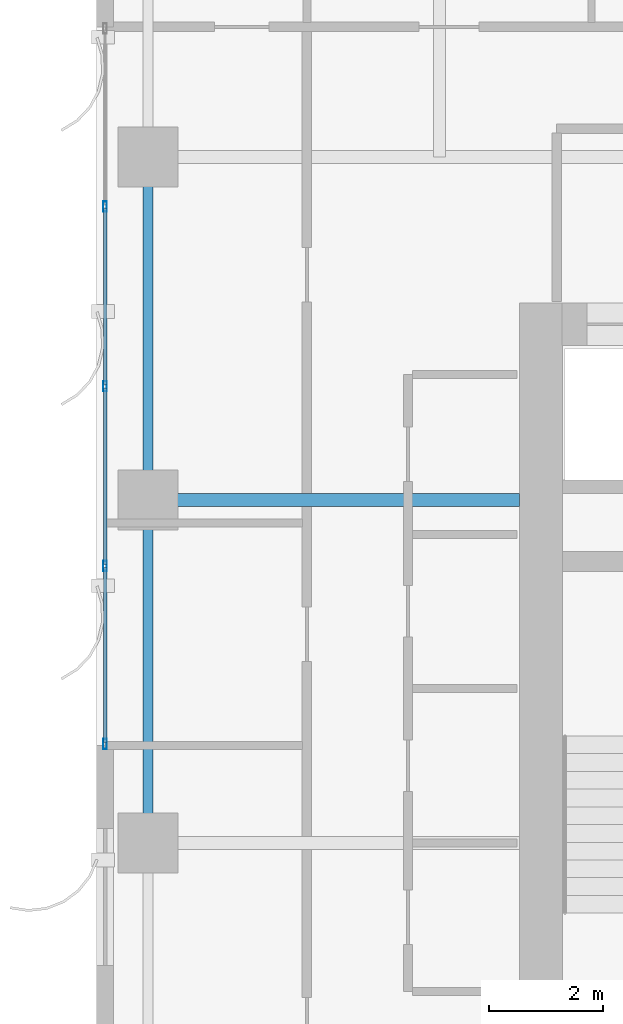
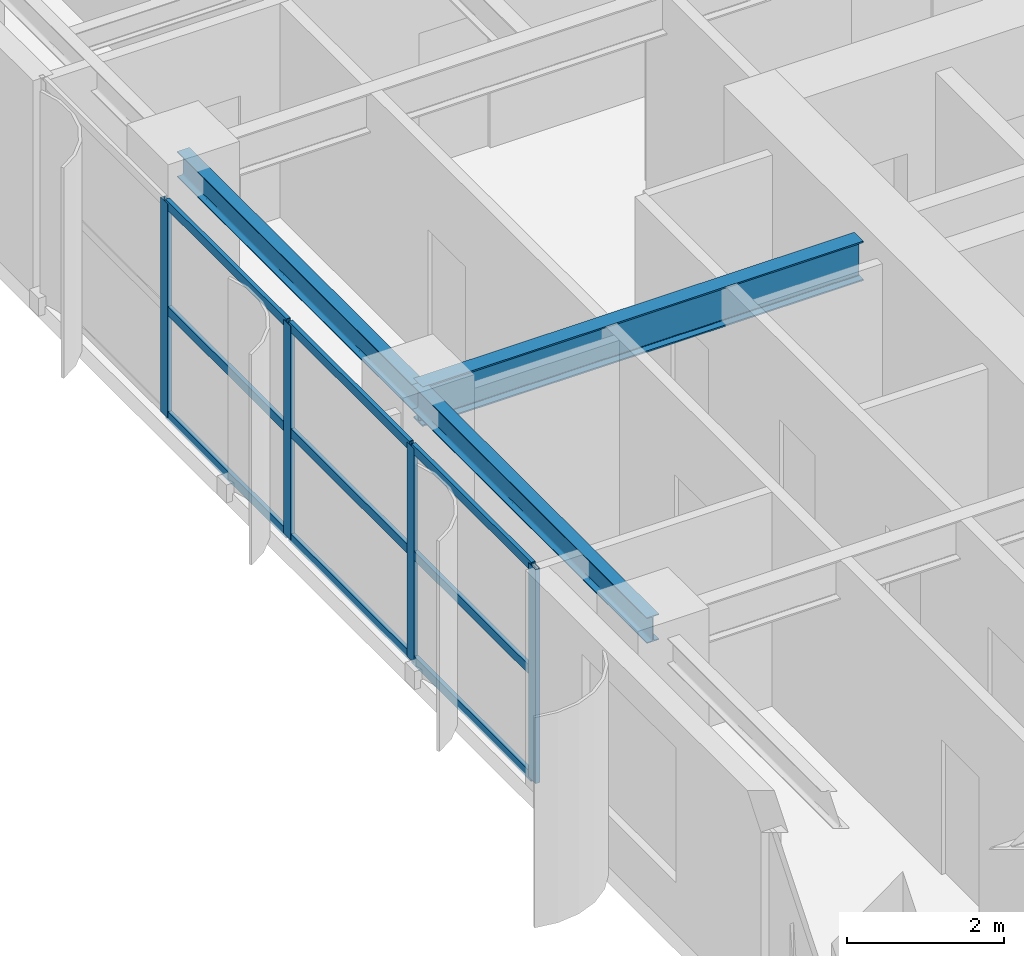
# One storey, part 7 of 27: 13 members, 3 beams, 1 element without a shape of its own.
"""IFC4 building model written with IfcOpenShell, lengths in metres."""

from ifc_helpers import new_model, si_unit, direction, frame, origin, origin_2d, place, context, subcontext, project, spatial, hollow_rectangle, i_section, extrude, source, transform, mapped, material, layer, layer_set, material_profile, profile_set, type_object, element, aggregate, save


model = new_model("IFC4")

# Units and contexts
model_context = context("Model", 3, precision=1e-05, world=origin(), true_north=direction((0.0, 1.0)))
body_context = subcontext(model_context, "Body", "Model", "MODEL_VIEW")
ifc_project = project(units=[si_unit("LENGTHUNIT", "METRE"), si_unit("AREAUNIT", "SQUARE_METRE"), si_unit("VOLUMEUNIT", "CUBIC_METRE"), si_unit("PLANEANGLEUNIT", "RADIAN"), si_unit("MASSUNIT", "GRAM", prefix="KILO")], contexts=[model_context])

# Site, building, storey
site_placement = place(None, origin())
site = spatial("IfcSite", under=ifc_project, at=site_placement, CompositionType="ELEMENT")
building_placement = place(site_placement, origin())
building = spatial("IfcBuilding", under=site, at=building_placement, Name="Khoralis Quay Care Tower", CompositionType="ELEMENT")
storey_placement = place(building_placement, frame((0.0, 0.0, 105.300048828125)))
storey = spatial("IfcBuildingStorey", under=building, at=storey_placement, Name="L27", CompositionType="ELEMENT", Elevation=105.300048828125)

# Beams
ifc_material_1 = material(Name="Steel S355", Category="steel")
ifc_material_profile_1 = material_profile(ifc_material_1, i_section(OverallWidth=0.179931640625, OverallDepth=0.39990234375, WebThickness=0.008544921875, FlangeThickness=0.013427734375, FilletRadius=0.02099609375, at=origin_2d()), Name="Steel S355")
ifc_profile_set_1 = profile_set([ifc_material_profile_1], Name="Steel S355")
beam_type_1 = type_object("IfcBeamType", Name="BM-IPE400", PredefinedType="SPANDREL", material=ifc_profile_set_1)
shared_shape_1 = source(origin(), body_context, "Body", "SweptSolid", [
    extrude(i_section(OverallWidth=0.179931640625, OverallDepth=0.39990234375, WebThickness=0.008544921875, FlangeThickness=0.013427734375, FilletRadius=0.02099609375, at=origin_2d()), origin(), (0.0, 0.0, 1.0), 6.0),
])
for number, where, z_axis, x_axis, name in (
    (1, (0.89990234375, 18.0, 3.139892578125), (0.0, 1.0, 0.0), (-1.0, 0.0, 0.0), "BM-TSP-L27-13"),
    (2, (0.89990234375, 24.0, 3.139892578125), (0.0, 1.0, 0.0), (-1.0, 0.0, 0.0), "BM-TSP-L27-14"),
):
    element("IfcBeam", number, at=place(storey_placement, frame(where, z_axis=z_axis, x_axis=x_axis)), inside=storey, type_object=beam_type_1, Name=name, PredefinedType="SPANDREL", context=body_context, shape_type="MappedRepresentation", body=[
        mapped(shared_shape_1, transform((0.0, 0.0, 0.0), scale=1.0)),
    ])
ifc_material_profile_2 = material_profile(ifc_material_1, i_section(OverallWidth=0.22998046875, OverallDepth=0.616943359375, WebThickness=0.01318359375, FlangeThickness=0.022216796875, FilletRadius=0.01806640625, at=origin_2d()), Name="Steel S355")
ifc_profile_set_2 = profile_set([ifc_material_profile_2], Name="Steel S355")
beam_type_2 = type_object("IfcBeamType", Name="BM-W610X140", PredefinedType="BEAM", material=ifc_profile_set_2)
shared_shape_2 = source(origin(), body_context, "Body", "SweptSolid", [
    extrude(i_section(OverallWidth=0.22998046875, OverallDepth=0.616943359375, WebThickness=0.01318359375, FlangeThickness=0.022216796875, FilletRadius=0.01806640625, at=origin_2d()), origin(), (0.0, 0.0, 1.0), 6.502197265625),
])
beam_placement = place(storey_placement, frame((0.89990234375, 24.0, 3.031494140625), z_axis=(1.0, 0.0, 0.0), x_axis=(0.0, 1.0, 0.0)))
element("IfcBeam", 3, at=beam_placement, inside=storey, type_object=beam_type_2, Name="BM-TGXW-L27-240", PredefinedType="BEAM", context=body_context, shape_type="MappedRepresentation", body=[
    mapped(shared_shape_2, transform((0.0, 0.0, 0.0), scale=1.0)),
])

# Curtain wall, members
ifc_material_2 = material(Name="Pale anodised aluminium", Category="aluminium")
ifc_layer = layer(ifc_material_2, 0.169921875)
ifc_layer_set = layer_set([ifc_layer], Name="Pale anodised aluminium")
curtain_wall_type = type_object("IfcCurtainWallType", Name="CW-SYS-Z2", PredefinedType="NOTDEFINED", material=ifc_layer_set)
curtain_wall_placement = place(storey_placement, origin())
curtain_wall = element("IfcCurtainWall", 4, at=curtain_wall_placement, inside=storey, type_object=curtain_wall_type, Name="L27 Unitised Curtain Wall CW-L27-P1-E15", PredefinedType="NOTDEFINED")
ifc_material_profile_3 = material_profile(ifc_material_2, hollow_rectangle(XDim=0.06005859375, YDim=0.139892578125, WallThickness=0.00390625, at=origin_2d()), Name="Pale anodised aluminium")
ifc_profile_set_3 = profile_set([ifc_material_profile_3], Name="Pale anodised aluminium")
member_type_1 = type_object("IfcMemberType", Name="CW-TRN-140", PredefinedType="USERDEFINED", material=ifc_profile_set_3)
shared_shape_3 = source(origin(), body_context, "Body", "SweptSolid", [
    extrude(hollow_rectangle(XDim=0.06005859375, YDim=0.139892578125, WallThickness=0.00390625, at=origin_2d()), origin(), (0.0, 0.0, 1.0), 3.054931640625),
])
member_1_placement = place(storey_placement, frame((0.14990234375, 22.81494140625, 0.030029296875), z_axis=(0.0, -1.0, 0.0), x_axis=(1.0, 0.0, 0.0)))
member_1 = element("IfcMember", 5, at=member_1_placement, type_object=member_type_1, Name="CW2 transom 4.1", ObjectType="TRANSOM", PredefinedType="USERDEFINED", context=body_context, shape_type="MappedRepresentation", body=[
    mapped(shared_shape_3, transform((0.0, 0.0, 0.0), scale=1.0)),
])
member_2_placement = place(storey_placement, frame((0.14990234375, 22.81494140625, 1.669921875), z_axis=(0.0, -1.0, 0.0), x_axis=(1.0, 0.0, 0.0)))
member_2 = element("IfcMember", 6, at=member_2_placement, type_object=member_type_1, Name="CW2 transom 4.2", ObjectType="TRANSOM", PredefinedType="USERDEFINED", context=body_context, shape_type="MappedRepresentation", body=[
    mapped(shared_shape_3, transform((0.0, 0.0, 0.0), scale=1.0)),
])
member_3_placement = place(storey_placement, frame((0.14990234375, 22.81494140625, 3.31005859375), z_axis=(0.0, -1.0, 0.0), x_axis=(1.0, 0.0, 0.0)))
member_3 = element("IfcMember", 7, at=member_3_placement, type_object=member_type_1, Name="CW2 transom 4.3", ObjectType="TRANSOM", PredefinedType="USERDEFINED", context=body_context, shape_type="MappedRepresentation", body=[
    mapped(shared_shape_3, transform((0.0, 0.0, 0.0), scale=1.0)),
])
shared_shape_4 = source(origin(), body_context, "Body", "SweptSolid", [
    extrude(hollow_rectangle(XDim=0.06005859375, YDim=0.139892578125, WallThickness=0.00390625, at=origin_2d()), origin(), (0.0, 0.0, 1.0), 3.0849609375),
])
member_4_placement = place(storey_placement, frame((0.14990234375, 29.10498046875, 0.030029296875), z_axis=(0.0, -1.0, 0.0), x_axis=(1.0, 0.0, 0.0)))
member_4 = element("IfcMember", 8, at=member_4_placement, type_object=member_type_1, Name="CW2 transom 2.1", ObjectType="TRANSOM", PredefinedType="USERDEFINED", context=body_context, shape_type="MappedRepresentation", body=[
    mapped(shared_shape_4, transform((0.0, 0.0, 0.0), scale=1.0)),
])
member_5_placement = place(storey_placement, frame((0.14990234375, 29.10498046875, 1.669921875), z_axis=(0.0, -1.0, 0.0), x_axis=(1.0, 0.0, 0.0)))
member_5 = element("IfcMember", 9, at=member_5_placement, type_object=member_type_1, Name="CW2 transom 2.2", ObjectType="TRANSOM", PredefinedType="USERDEFINED", context=body_context, shape_type="MappedRepresentation", body=[
    mapped(shared_shape_4, transform((0.0, 0.0, 0.0), scale=1.0)),
])
member_6_placement = place(storey_placement, frame((0.14990234375, 29.10498046875, 3.31005859375), z_axis=(0.0, -1.0, 0.0), x_axis=(1.0, 0.0, 0.0)))
member_6 = element("IfcMember", 10, at=member_6_placement, type_object=member_type_1, Name="CW2 transom 2.3", ObjectType="TRANSOM", PredefinedType="USERDEFINED", context=body_context, shape_type="MappedRepresentation", body=[
    mapped(shared_shape_4, transform((0.0, 0.0, 0.0), scale=1.0)),
])
member_7_placement = place(storey_placement, frame((0.14990234375, 25.9599609375, 0.030029296875), z_axis=(0.0, -1.0, 0.0), x_axis=(1.0, 0.0, 0.0)))
member_7 = element("IfcMember", 11, at=member_7_placement, type_object=member_type_1, Name="CW2 transom 3.1", ObjectType="TRANSOM", PredefinedType="USERDEFINED", context=body_context, shape_type="MappedRepresentation", body=[
    mapped(shared_shape_4, transform((0.0, 0.0, 0.0), scale=1.0)),
])
member_8_placement = place(storey_placement, frame((0.14990234375, 25.9599609375, 1.669921875), z_axis=(0.0, -1.0, 0.0), x_axis=(1.0, 0.0, 0.0)))
member_8 = element("IfcMember", 12, at=member_8_placement, type_object=member_type_1, Name="CW2 transom 3.2", ObjectType="TRANSOM", PredefinedType="USERDEFINED", context=body_context, shape_type="MappedRepresentation", body=[
    mapped(shared_shape_4, transform((0.0, 0.0, 0.0), scale=1.0)),
])
member_9_placement = place(storey_placement, frame((0.14990234375, 25.9599609375, 3.31005859375), z_axis=(0.0, -1.0, 0.0), x_axis=(1.0, 0.0, 0.0)))
member_9 = element("IfcMember", 13, at=member_9_placement, type_object=member_type_1, Name="CW2 transom 3.3", ObjectType="TRANSOM", PredefinedType="USERDEFINED", context=body_context, shape_type="MappedRepresentation", body=[
    mapped(shared_shape_4, transform((0.0, 0.0, 0.0), scale=1.0)),
])
ifc_material_profile_4 = material_profile(ifc_material_2, hollow_rectangle(XDim=0.06494140625, YDim=0.179931640625, WallThickness=0.00390625, at=origin_2d()), Name="Pale anodised aluminium")
ifc_profile_set_4 = profile_set([ifc_material_profile_4], Name="Pale anodised aluminium")
member_type_2 = type_object("IfcMemberType", Name="CW-MUL-180", PredefinedType="MULLION", material=ifc_profile_set_4)
shared_shape_5 = source(origin(), body_context, "Body", "SweptSolid", [
    extrude(hollow_rectangle(XDim=0.06494140625, YDim=0.179931640625, WallThickness=0.00390625, at=origin_2d()), origin(), (0.0, 0.0, 1.0), 3.33984375),
])
member_10_placement = place(storey_placement, frame((0.14990234375, 29.135009765625, 0.0), z_axis=(0.0, 0.0, 1.0), x_axis=(1.0, 0.0, 0.0)))
member_10 = element("IfcMember", 14, at=member_10_placement, type_object=member_type_2, Name="CW2 mullion 2", PredefinedType="MULLION", context=body_context, shape_type="MappedRepresentation", body=[
    mapped(shared_shape_5, transform((0.0, 0.0, 0.0), scale=1.0)),
])
member_11_placement = place(storey_placement, frame((0.14990234375, 25.989990234375, 0.0), z_axis=(0.0, 0.0, 1.0), x_axis=(1.0, 0.0, 0.0)))
member_11 = element("IfcMember", 15, at=member_11_placement, type_object=member_type_2, Name="CW2 mullion 3", PredefinedType="MULLION", context=body_context, shape_type="MappedRepresentation", body=[
    mapped(shared_shape_5, transform((0.0, 0.0, 0.0), scale=1.0)),
])
member_12_placement = place(storey_placement, frame((0.14990234375, 22.844970703125, 0.0), z_axis=(0.0, 0.0, 1.0), x_axis=(1.0, 0.0, 0.0)))
member_12 = element("IfcMember", 16, at=member_12_placement, type_object=member_type_2, Name="CW2 mullion 4", PredefinedType="MULLION", context=body_context, shape_type="MappedRepresentation", body=[
    mapped(shared_shape_5, transform((0.0, 0.0, 0.0), scale=1.0)),
])
member_13_placement = place(storey_placement, frame((0.14990234375, 19.72998046875, 0.0), z_axis=(0.0, 0.0, 1.0), x_axis=(1.0, 0.0, 0.0)))
member_13 = element("IfcMember", 17, at=member_13_placement, type_object=member_type_2, Name="CW2 mullion 5", PredefinedType="MULLION", context=body_context, shape_type="MappedRepresentation", body=[
    mapped(shared_shape_5, transform((0.0, 0.0, 0.0), scale=1.0)),
])
aggregate(curtain_wall, [member_10, member_11, member_12, member_13, member_4, member_5, member_6, member_7, member_8, member_9, member_1, member_2, member_3])

save(model, "model.ifc")
